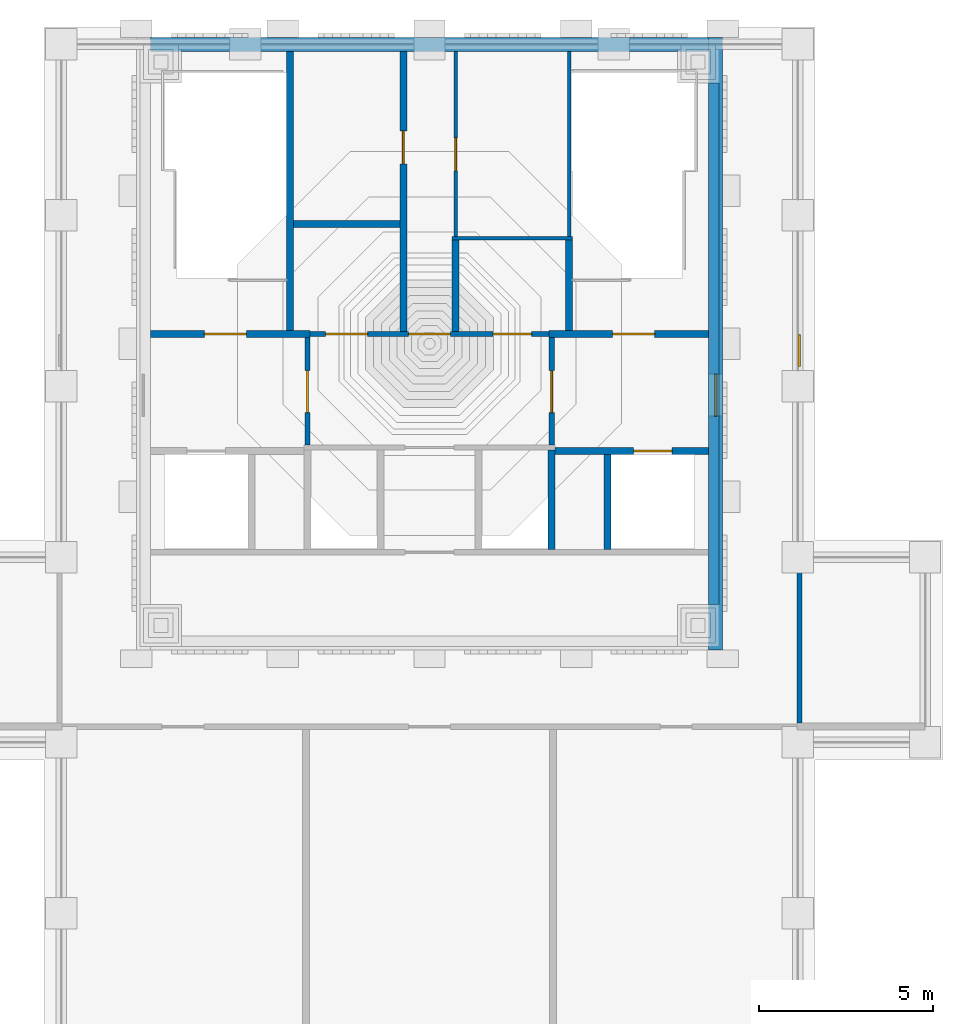
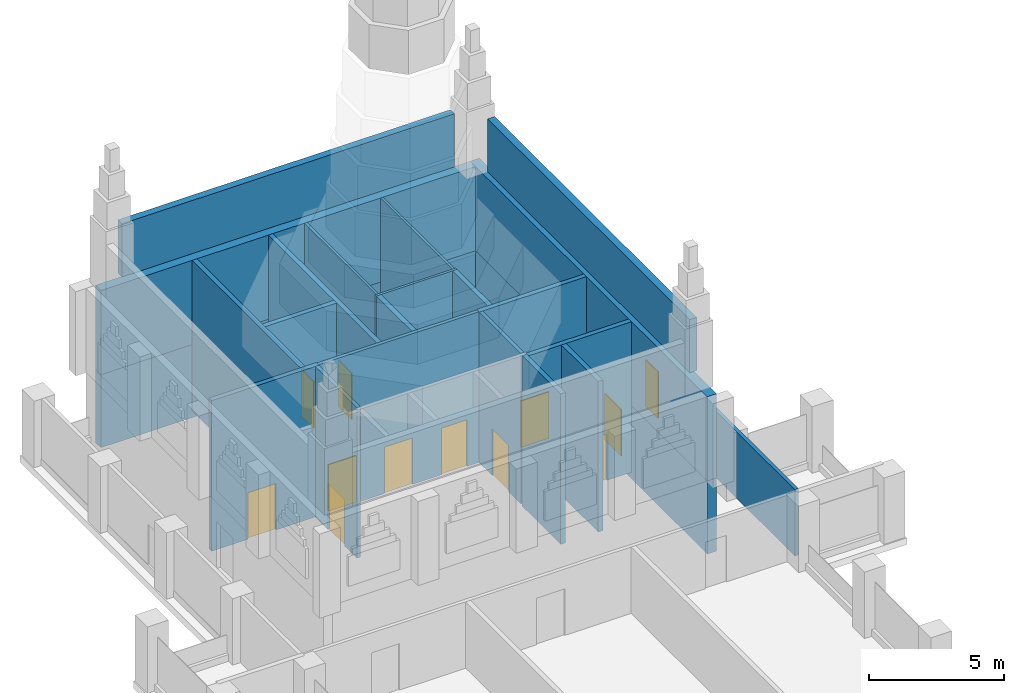
# One storey, part 2 of 6: 23 walls, 12 doors, 12 openings.
"""IFC4 building model written with IfcOpenShell, lengths in metres."""

from ifc_helpers import new_model, si_unit, direction, frame, frame_2d, origin, place, context, subcontext, project, spatial, rectangle, extrude, material, layer, layer_set, type_object, element, fill, save


model = new_model("IFC4")

# Units and contexts
model_context = context("Model", 3, precision=1e-05, world=origin(), true_north=direction((0.0, 1.0)))
body_context = subcontext(model_context, "Body", "Model", "MODEL_VIEW")
ifc_project = project(units=[si_unit("LENGTHUNIT", "METRE"), si_unit("AREAUNIT", "SQUARE_METRE"), si_unit("VOLUMEUNIT", "CUBIC_METRE"), si_unit("PLANEANGLEUNIT", "RADIAN"), si_unit("MASSUNIT", "GRAM", prefix="KILO")], contexts=[model_context])

# Site, building, storey
site_placement = place(None, origin())
site = spatial("IfcSite", under=ifc_project, at=site_placement, CompositionType="ELEMENT")
building_placement = place(site_placement, origin())
building = spatial("IfcBuilding", under=site, at=building_placement, Name="Vermilion Ogive Tower", CompositionType="ELEMENT")
storey_placement = place(building_placement, frame((0.0, 0.0, 302.85009765625)))
storey = spatial("IfcBuildingStorey", under=building, at=storey_placement, Name="RF", CompositionType="ELEMENT", Elevation=302.85009765625)

# Wall, opening, door
ifc_material_1 = material(Name="Concrete B60", Category="concrete")
ifc_layer_1 = layer(ifc_material_1, 0.39990234375)
ifc_layer_set_1 = layer_set([ifc_layer_1], Name="Core wall 400 B60")
wall_type_1 = type_object("IfcWallType", Name="Core wall 400 B60", PredefinedType="SHEAR", material=ifc_layer_set_1)
wall_1_placement = place(storey_placement, frame((8.199951171875, 4.199951171875, -0.300048828125), z_axis=(0.0, 0.0, 1.0), x_axis=(0.0, 1.0, 0.0)))
wall_1 = element("IfcWall", 1, at=wall_1_placement, inside=storey, type_object=wall_type_1, Name="RF-CORE-E", PredefinedType="SHEAR", context=body_context, shape_type="SweptSolid", body=[
    extrude(rectangle(XDim=17.550048828125, YDim=0.39990234375, at=frame_2d((8.77490234375, 0.0))), origin(), (0.0, 0.0, 1.0), 3.300048828125),
])
opening_1_placement = place(wall_1_placement, frame((6.699951171875, 0.0, 0.300048828125)))
opening_1 = element("IfcOpeningElement", 2, at=opening_1_placement, cuts=wall_1, Name="Opening DBZ001", PredefinedType="OPENING", context=body_context, shape_type="SweptSolid", body=[
    extrude(rectangle(XDim=1.199951171875, YDim=2.10009765625, at=frame_2d((0.60009765625, 1.050048828125))), frame((0.0, 0.2099609375, 0.0), z_axis=(0.0, -1.0, 0.0), x_axis=(1.0, 0.0, 0.0)), (0.0, 0.0, 1.0), 0.419921875),
])
ifc_material_2 = material(Name="Timber door leaf", Category="wood")
door_type_1 = type_object("IfcDoorType", Name="Link door 1200 x 2100 FD60S", OperationType="SINGLE_SWING_LEFT", PredefinedType="DOOR", material=ifc_material_2)
door_1_placement = place(opening_1_placement, origin())
door_1 = element("IfcDoor", 3, at=door_1_placement, inside=storey, type_object=door_type_1, Name="RF-CK-XD2", OperationType="SINGLE_SWING_LEFT", OverallHeight=2.10009765625, OverallWidth=1.199951171875, PredefinedType="DOOR", context=body_context, shape_type="SweptSolid", body=[
    extrude(rectangle(XDim=1.199951171875, YDim=2.10009765625, at=frame_2d((0.60009765625, 1.050048828125))), frame((0.0, 0.02490234375, 0.0), z_axis=(0.0, -1.0, 0.0), x_axis=(1.0, 0.0, 0.0)), (0.0, 0.0, 1.0), 0.050048828125),
])
fill(opening_1, door_1)

# Walls
wall_2_placement = place(storey_placement, frame((-8.0, 21.550048828125, -0.300048828125), z_axis=(0.0, 0.0, 1.0), x_axis=(1.0, 0.0, 0.0)))
element("IfcWall", 4, at=wall_2_placement, inside=storey, type_object=wall_type_1, Name="RF-CORE-N", PredefinedType="SHEAR", context=body_context, shape_type="SweptSolid", body=[
    extrude(rectangle(XDim=16.0, YDim=0.39990234375, at=frame_2d((8.0, 0.0))), origin(), (0.0, 0.0, 1.0), 3.300048828125),
])
wall_3_placement = place(storey_placement, frame((8.199951171875, 4.199951171875, 3.0), z_axis=(0.0, 0.0, 1.0), x_axis=(0.0, 1.0, 0.0)))
element("IfcWall", 5, at=wall_3_placement, inside=storey, type_object=wall_type_1, Name="RF-HH-E", PredefinedType="SHEAR", context=body_context, shape_type="SweptSolid", body=[
    extrude(rectangle(XDim=17.550048828125, YDim=0.39990234375, at=frame_2d((8.77490234375, 0.0))), origin(), (0.0, 0.0, 1.0), 3.7998046875),
])
wall_4_placement = place(storey_placement, frame((-8.0, 21.550048828125, 3.0), z_axis=(0.0, 0.0, 1.0), x_axis=(1.0, 0.0, 0.0)))
element("IfcWall", 6, at=wall_4_placement, inside=storey, type_object=wall_type_1, Name="RF-HH-N", PredefinedType="SHEAR", context=body_context, shape_type="SweptSolid", body=[
    extrude(rectangle(XDim=16.0, YDim=0.39990234375, at=frame_2d((8.0, 0.0))), origin(), (0.0, 0.0, 1.0), 3.7998046875),
])
ifc_material_3 = material(Name="Concrete B40", Category="concrete")
ifc_layer_2 = layer(ifc_material_3, 0.300048828125)
ifc_layer_set_2 = layer_set([ifc_layer_2], Name="Head-house parapet")
wall_type_2 = type_object("IfcWallType", Name="Head-house parapet", PredefinedType="PARAPET", material=ifc_layer_set_2)
wall_5_placement = place(storey_placement, frame((-7.10009765625, 21.5, 7.099853515625), z_axis=(0.0, 0.0, 1.0), x_axis=(1.0, 0.0, 0.0)))
element("IfcWall", 7, at=wall_5_placement, inside=storey, type_object=wall_type_2, Name="Head-house parapet north", PredefinedType="PARAPET", context=body_context, shape_type="SweptSolid", body=[
    extrude(rectangle(XDim=14.2001953125, YDim=0.300048828125, at=frame_2d((7.10009765625, 0.0))), origin(), (0.0, 0.0, 1.0), 2.400146484375),
])
wall_6_placement = place(storey_placement, frame((8.14990234375, 5.5, 7.099853515625), z_axis=(0.0, 0.0, 1.0), x_axis=(0.0, 1.0, 0.0)))
element("IfcWall", 8, at=wall_6_placement, inside=storey, type_object=wall_type_2, Name="Head-house parapet east", PredefinedType="PARAPET", context=body_context, shape_type="SweptSolid", body=[
    extrude(rectangle(XDim=14.949951171875, YDim=0.300048828125, at=frame_2d((7.47509765625, 0.0))), origin(), (0.0, 0.0, 1.0), 2.400146484375),
])
ifc_material_4 = material(Name="Gypsum board partition on steel studs", Category="steel")
ifc_layer_3 = layer(ifc_material_4, 0.10009765625)
ifc_layer_set_3 = layer_set([ifc_layer_3], Name="Partition 100 bath")
wall_type_3 = type_object("IfcWallType", Name="Partition 100 bath", PredefinedType="PARTITIONING", material=ifc_layer_set_3)
wall_7_placement = place(storey_placement, frame((0.64990234375, 16.0, 0.0), z_axis=(0.0, 0.0, 1.0), x_axis=(1.0, 0.0, 0.0)))
element("IfcWall", 9, at=wall_7_placement, inside=storey, type_object=wall_type_3, Name="RF-CK-W-W008", PredefinedType="PARTITIONING", context=body_context, shape_type="SweptSolid", body=[
    extrude(rectangle(XDim=3.4501953125, YDim=0.10009765625, at=frame_2d((1.72509765625, 0.0))), origin(), (0.0, 0.0, 1.0), 6.7998046875),
])

# Wall, opening, door
wall_8_placement = place(storey_placement, frame((0.75, 16.050048828125, 0.0), z_axis=(0.0, 0.0, 1.0), x_axis=(0.0, 1.0, 0.0)))
wall_8 = element("IfcWall", 10, at=wall_8_placement, inside=storey, type_object=wall_type_3, Name="RF-CK-W-W017", PredefinedType="PARTITIONING", context=body_context, shape_type="SweptSolid", body=[
    extrude(rectangle(XDim=5.299072265625, YDim=0.10009765625, at=frame_2d((2.6494140625, 0.0))), origin(), (0.0, 0.0, 1.0), 6.7998046875),
])
opening_2_placement = place(wall_8_placement, frame((1.875, 0.0, 0.0)))
opening_2 = element("IfcOpeningElement", 11, at=opening_2_placement, cuts=wall_8, Name="Opening DAQ007", PredefinedType="OPENING", context=body_context, shape_type="SweptSolid", body=[
    extrude(rectangle(XDim=0.949951171875, YDim=2.10009765625, at=frame_2d((0.47509765625, 1.050048828125))), frame((0.0, 0.06005859375, 0.0), z_axis=(0.0, -1.0, 0.0), x_axis=(1.0, 0.0, 0.0)), (0.0, 0.0, 1.0), 0.1201171875),
])
ifc_material_5 = material(Name="Timber door leaf", Category="wood")
door_type_2 = type_object("IfcDoorType", Name="Service door 950 x 2100 FD60", OperationType="SINGLE_SWING_LEFT", PredefinedType="DOOR", material=ifc_material_5)
door_2_placement = place(opening_2_placement, origin())
door_2 = element("IfcDoor", 12, at=door_2_placement, inside=storey, type_object=door_type_2, Name="RF-CK-D-D011", OperationType="SINGLE_SWING_LEFT", OverallHeight=2.10009765625, OverallWidth=0.949951171875, PredefinedType="DOOR", context=body_context, shape_type="SweptSolid", body=[
    extrude(rectangle(XDim=0.949951171875, YDim=2.10009765625, at=frame_2d((0.47509765625, 1.050048828125))), frame((0.0, 0.02490234375, 0.0), z_axis=(0.0, -1.0, 0.0), x_axis=(1.0, 0.0, 0.0)), (0.0, 0.0, 1.0), 0.050048828125),
])
fill(opening_2, door_2)

# Wall
wall_9_placement = place(storey_placement, frame((4.0, 16.050048828125, 0.0), z_axis=(0.0, 0.0, 1.0), x_axis=(0.0, 1.0, 0.0)))
element("IfcWall", 13, at=wall_9_placement, inside=storey, type_object=wall_type_3, Name="RF-CK-W-W022", PredefinedType="PARTITIONING", context=body_context, shape_type="SweptSolid", body=[
    extrude(rectangle(XDim=5.299072265625, YDim=0.10009765625, at=frame_2d((2.6494140625, 0.0))), origin(), (0.0, 0.0, 1.0), 6.7998046875),
])

# Wall, opening, door
ifc_material_6 = material(Name="Gypsum board partition on steel studs", Category="steel")
ifc_layer_4 = layer(ifc_material_6, 0.14990234375)
ifc_layer_set_4 = layer_set([ifc_layer_4], Name="Partition 150 corridor")
wall_type_4 = type_object("IfcWallType", Name="Partition 150 corridor", PredefinedType="PARTITIONING", material=ifc_layer_set_4)
wall_10_placement = place(storey_placement, frame((10.60009765625, 2.10009765625, 0.0), z_axis=(0.0, 0.0, 1.0), x_axis=(0.0, 1.0, 0.0)))
wall_10 = element("IfcWall", 14, at=wall_10_placement, inside=storey, type_object=wall_type_4, Name="RF-FS-W-W007", PredefinedType="PARTITIONING", context=body_context, shape_type="SweptSolid", body=[
    extrude(rectangle(XDim=19.449951171875, YDim=0.14990234375, at=frame_2d((9.72509765625, 0.0))), origin(), (0.0, 0.0, 1.0), 3.0),
])
opening_3_placement = place(wall_10_placement, frame((10.224853515625, 0.0, 0.0)))
opening_3 = element("IfcOpeningElement", 15, at=opening_3_placement, cuts=wall_10, Name="Opening DBG002", PredefinedType="OPENING", context=body_context, shape_type="SweptSolid", body=[
    extrude(rectangle(XDim=0.89990234375, YDim=2.10009765625, at=frame_2d((0.449951171875, 1.050048828125))), frame((0.0, 0.0849609375, 0.0), z_axis=(0.0, -1.0, 0.0), x_axis=(1.0, 0.0, 0.0)), (0.0, 0.0, 1.0), 0.169921875),
])
ifc_material_7 = material(Name="Timber door leaf", Category="wood")
door_type_3 = type_object("IfcDoorType", Name="Stair door 900 x 2100 FD60S", OperationType="SINGLE_SWING_LEFT", PredefinedType="DOOR", material=ifc_material_7)
door_3_placement = place(opening_3_placement, origin())
door_3 = element("IfcDoor", 16, at=door_3_placement, inside=storey, type_object=door_type_3, Name="RF-FS-D-D002", OperationType="SINGLE_SWING_RIGHT", OverallHeight=2.10009765625, OverallWidth=0.89990234375, PredefinedType="DOOR", context=body_context, shape_type="SweptSolid", body=[
    extrude(rectangle(XDim=0.89990234375, YDim=2.10009765625, at=frame_2d((0.449951171875, 1.050048828125))), frame((0.0, 0.02490234375, 0.0), z_axis=(0.0, -1.0, 0.0), x_axis=(1.0, 0.0, 0.0)), (0.0, 0.0, 1.0), 0.050048828125),
])
fill(opening_3, door_3)

# Wall, openings, doors
wall_11_placement = place(storey_placement, frame((-3.574951171875, 13.25, 0.0), z_axis=(0.0, 0.0, 1.0), x_axis=(1.0, 0.0, 0.0)))
wall_11 = element("IfcWall", 17, at=wall_11_placement, inside=storey, type_object=wall_type_4, Name="RF-CK-W-W006", PredefinedType="PARTITIONING", context=body_context, shape_type="SweptSolid", body=[
    extrude(rectangle(XDim=7.14990234375, YDim=0.14990234375, at=frame_2d((3.574951171875, 0.0))), origin(), (0.0, 0.0, 1.0), 6.7998046875),
])
opening_4_placement = place(wall_11_placement, frame((0.599853515625, 0.0, 0.0)))
opening_4 = element("IfcOpeningElement", 18, at=opening_4_placement, cuts=wall_11, Name="Opening DAQ013", PredefinedType="OPENING", context=body_context, shape_type="SweptSolid", body=[
    extrude(rectangle(XDim=1.199951171875, YDim=2.10009765625, at=frame_2d((0.60009765625, 1.050048828125))), frame((0.0, 0.0849609375, 0.0), z_axis=(0.0, -1.0, 0.0), x_axis=(1.0, 0.0, 0.0)), (0.0, 0.0, 1.0), 0.169921875),
])
opening_5_placement = place(wall_11_placement, frame((5.39990234375, 0.0, 0.0)))
opening_5 = element("IfcOpeningElement", 19, at=opening_5_placement, cuts=wall_11, Name="Opening DAQ012", PredefinedType="OPENING", context=body_context, shape_type="SweptSolid", body=[
    extrude(rectangle(XDim=1.10009765625, YDim=2.10009765625, at=frame_2d((0.550048828125, 1.050048828125))), frame((0.0, 0.0849609375, 0.0), z_axis=(0.0, -1.0, 0.0), x_axis=(1.0, 0.0, 0.0)), (0.0, 0.0, 1.0), 0.169921875),
])
opening_6_placement = place(wall_11_placement, frame((2.974853515625, 0.0, 0.0)))
opening_6 = element("IfcOpeningElement", 20, at=opening_6_placement, cuts=wall_11, Name="Opening DAQ005", PredefinedType="OPENING", context=body_context, shape_type="SweptSolid", body=[
    extrude(rectangle(XDim=1.199951171875, YDim=2.10009765625, at=frame_2d((0.60009765625, 1.050048828125))), frame((0.0, 0.0849609375, 0.0), z_axis=(0.0, -1.0, 0.0), x_axis=(1.0, 0.0, 0.0)), (0.0, 0.0, 1.0), 0.169921875),
])
ifc_material_8 = material(Name="Stainless steel", Category="steel")
door_type_4 = type_object("IfcDoorType", Name="Lift landing door 1100 x 2100", OperationType="SLIDING_TO_LEFT", PredefinedType="DOOR", material=ifc_material_8)
door_4_placement = place(opening_5_placement, origin())
door_4 = element("IfcDoor", 21, at=door_4_placement, inside=storey, type_object=door_type_4, Name="RF-CK-D-D008", OperationType="SLIDING_TO_LEFT", OverallHeight=2.10009765625, OverallWidth=1.10009765625, PredefinedType="DOOR", context=body_context, shape_type="SweptSolid", body=[
    extrude(rectangle(XDim=1.10009765625, YDim=2.10009765625, at=frame_2d((0.550048828125, 1.050048828125))), frame((0.0, 0.02490234375, 0.0), z_axis=(0.0, -1.0, 0.0), x_axis=(1.0, 0.0, 0.0)), (0.0, 0.0, 1.0), 0.050048828125),
])
fill(opening_5, door_4)
ifc_material_9 = material(Name="Stainless steel", Category="steel")
door_type_5 = type_object("IfcDoorType", Name="Lift landing door 1200 x 2100", OperationType="SLIDING_TO_LEFT", PredefinedType="DOOR", material=ifc_material_9)
door_5_placement = place(opening_4_placement, origin())
door_5 = element("IfcDoor", 22, at=door_5_placement, inside=storey, type_object=door_type_5, Name="RF-CK-D-D007", OperationType="SLIDING_TO_RIGHT", OverallHeight=2.10009765625, OverallWidth=1.199951171875, PredefinedType="DOOR", context=body_context, shape_type="SweptSolid", body=[
    extrude(rectangle(XDim=1.199951171875, YDim=2.10009765625, at=frame_2d((0.60009765625, 1.050048828125))), frame((0.0, 0.02490234375, 0.0), z_axis=(0.0, -1.0, 0.0), x_axis=(1.0, 0.0, 0.0)), (0.0, 0.0, 1.0), 0.050048828125),
])
fill(opening_4, door_5)
ifc_material_10 = material(Name="Timber door leaf", Category="wood")
door_type_6 = type_object("IfcDoorType", Name="Service door 1200 x 2100 FD60", OperationType="SINGLE_SWING_LEFT", PredefinedType="DOOR", material=ifc_material_10)
door_6_placement = place(opening_6_placement, origin())
door_6 = element("IfcDoor", 23, at=door_6_placement, inside=storey, type_object=door_type_6, Name="RF-CK-D-D009", OperationType="SINGLE_SWING_RIGHT", OverallHeight=2.10009765625, OverallWidth=1.199951171875, PredefinedType="DOOR", context=body_context, shape_type="SweptSolid", body=[
    extrude(rectangle(XDim=1.199951171875, YDim=2.10009765625, at=frame_2d((0.60009765625, 1.050048828125))), frame((0.0, 0.02490234375, 0.0), z_axis=(0.0, -1.0, 0.0), x_axis=(1.0, 0.0, 0.0)), (0.0, 0.0, 1.0), 0.050048828125),
])
fill(opening_6, door_6)

# Wall, opening, door
wall_12_placement = place(storey_placement, frame((-3.5, 10.074951171875, 0.0), z_axis=(0.0, 0.0, 1.0), x_axis=(0.0, 1.0, 0.0)))
wall_12 = element("IfcWall", 24, at=wall_12_placement, inside=storey, type_object=wall_type_4, Name="RF-CK-W-W013", PredefinedType="PARTITIONING", context=body_context, shape_type="SweptSolid", body=[
    extrude(rectangle(XDim=3.074951171875, YDim=0.14990234375, at=frame_2d((1.53759765625, 0.0))), origin(), (0.0, 0.0, 1.0), 6.7998046875),
])
opening_7_placement = place(wall_12_placement, frame((0.925048828125, 0.0, 0.0)))
opening_7 = element("IfcOpeningElement", 25, at=opening_7_placement, cuts=wall_12, Name="Opening DAQ001", PredefinedType="OPENING", context=body_context, shape_type="SweptSolid", body=[
    extrude(rectangle(XDim=1.199951171875, YDim=2.10009765625, at=frame_2d((0.60009765625, 1.050048828125))), frame((0.0, 0.0849609375, 0.0), z_axis=(0.0, -1.0, 0.0), x_axis=(1.0, 0.0, 0.0)), (0.0, 0.0, 1.0), 0.169921875),
])
ifc_material_11 = material(Name="Timber door leaf", Category="wood")
door_type_7 = type_object("IfcDoorType", Name="Lobby door 1200 x 2100 FD60S", OperationType="SINGLE_SWING_LEFT", PredefinedType="DOOR", material=ifc_material_11)
door_7_placement = place(opening_7_placement, origin())
door_7 = element("IfcDoor", 26, at=door_7_placement, inside=storey, type_object=door_type_7, Name="RF-CK-D-D012", OperationType="SINGLE_SWING_RIGHT", OverallHeight=2.10009765625, OverallWidth=1.199951171875, PredefinedType="DOOR", context=body_context, shape_type="SweptSolid", body=[
    extrude(rectangle(XDim=1.199951171875, YDim=2.10009765625, at=frame_2d((0.60009765625, 1.050048828125))), frame((0.0, 0.02490234375, 0.0), z_axis=(0.0, -1.0, 0.0), x_axis=(1.0, 0.0, 0.0)), (0.0, 0.0, 1.0), 0.050048828125),
])
fill(opening_7, door_7)

wall_13_placement = place(storey_placement, frame((3.5, 10.074951171875, 0.0), z_axis=(0.0, 0.0, 1.0), x_axis=(0.0, 1.0, 0.0)))
wall_13 = element("IfcWall", 27, at=wall_13_placement, inside=storey, type_object=wall_type_4, Name="RF-CK-W-W020", PredefinedType="PARTITIONING", context=body_context, shape_type="SweptSolid", body=[
    extrude(rectangle(XDim=3.074951171875, YDim=0.14990234375, at=frame_2d((1.53759765625, 0.0))), origin(), (0.0, 0.0, 1.0), 6.7998046875),
])
opening_8_placement = place(wall_13_placement, frame((0.925048828125, 0.0, 0.0)))
opening_8 = element("IfcOpeningElement", 28, at=opening_8_placement, cuts=wall_13, Name="Opening DAQ002", PredefinedType="OPENING", context=body_context, shape_type="SweptSolid", body=[
    extrude(rectangle(XDim=1.199951171875, YDim=2.10009765625, at=frame_2d((0.60009765625, 1.050048828125))), frame((0.0, 0.0849609375, 0.0), z_axis=(0.0, -1.0, 0.0), x_axis=(1.0, 0.0, 0.0)), (0.0, 0.0, 1.0), 0.169921875),
])
door_8_placement = place(opening_8_placement, origin())
door_8 = element("IfcDoor", 29, at=door_8_placement, inside=storey, type_object=door_type_7, Name="RF-CK-D-D013", OperationType="SINGLE_SWING_LEFT", OverallHeight=2.10009765625, OverallWidth=1.199951171875, PredefinedType="DOOR", context=body_context, shape_type="SweptSolid", body=[
    extrude(rectangle(XDim=1.199951171875, YDim=2.10009765625, at=frame_2d((0.60009765625, 1.050048828125))), frame((0.0, 0.02490234375, 0.0), z_axis=(0.0, -1.0, 0.0), x_axis=(1.0, 0.0, 0.0)), (0.0, 0.0, 1.0), 0.050048828125),
])
fill(opening_8, door_8)

ifc_material_12 = material(Name="Gypsum board partition on steel studs", Category="steel")
ifc_layer_5 = layer(ifc_material_12, 0.199951171875)
ifc_layer_set_5 = layer_set([ifc_layer_5], Name="Partition 200 party")
wall_type_5 = type_object("IfcWallType", Name="Partition 200 party", PredefinedType="PARTITIONING", material=ifc_layer_set_5)
wall_14_placement = place(storey_placement, frame((3.60009765625, 9.89990234375, 0.0), z_axis=(0.0, 0.0, 1.0), x_axis=(1.0, 0.0, 0.0)))
wall_14 = element("IfcWall", 30, at=wall_14_placement, inside=storey, type_object=wall_type_5, Name="RF-CK-W-W003", PredefinedType="PARTITIONING", context=body_context, shape_type="SweptSolid", body=[
    extrude(rectangle(XDim=4.39892578125, YDim=0.199951171875, at=frame_2d((2.199462890625, 0.0))), origin(), (0.0, 0.0, 1.0), 6.7998046875),
])
opening_9_placement = place(wall_14_placement, frame((2.25, 0.0, 0.0)))
opening_9 = element("IfcOpeningElement", 31, at=opening_9_placement, cuts=wall_14, Name="Opening DAQ011", PredefinedType="OPENING", context=body_context, shape_type="SweptSolid", body=[
    extrude(rectangle(XDim=1.10009765625, YDim=2.10009765625, at=frame_2d((0.550048828125, 1.050048828125))), frame((0.0, 0.10986328125, 0.0), z_axis=(0.0, -1.0, 0.0), x_axis=(1.0, 0.0, 0.0)), (0.0, 0.0, 1.0), 0.219970703125),
])
door_9_placement = place(opening_9_placement, origin())
door_9 = element("IfcDoor", 32, at=door_9_placement, inside=storey, type_object=door_type_4, Name="RF-CK-D-D004", OperationType="SLIDING_TO_LEFT", OverallHeight=2.10009765625, OverallWidth=1.10009765625, PredefinedType="DOOR", context=body_context, shape_type="SweptSolid", body=[
    extrude(rectangle(XDim=1.10009765625, YDim=2.10009765625, at=frame_2d((0.550048828125, 1.050048828125))), frame((0.0, 0.02490234375, 0.0), z_axis=(0.0, -1.0, 0.0), x_axis=(1.0, 0.0, 0.0)), (0.0, 0.0, 1.0), 0.050048828125),
])
fill(opening_9, door_9)

wall_15_placement = place(storey_placement, frame((-7.9990234375, 13.25, 0.0), z_axis=(0.0, 0.0, 1.0), x_axis=(1.0, 0.0, 0.0)))
wall_15 = element("IfcWall", 33, at=wall_15_placement, inside=storey, type_object=wall_type_5, Name="RF-CK-W-W005", PredefinedType="PARTITIONING", context=body_context, shape_type="SweptSolid", body=[
    extrude(rectangle(XDim=4.573974609375, YDim=0.199951171875, at=frame_2d((2.287109375, 0.0))), origin(), (0.0, 0.0, 1.0), 6.7998046875),
])
opening_10_placement = place(wall_15_placement, frame((1.549072265625, 0.0, 0.0)))
opening_10 = element("IfcOpeningElement", 34, at=opening_10_placement, cuts=wall_15, Name="Opening DAQ008", PredefinedType="OPENING", context=body_context, shape_type="SweptSolid", body=[
    extrude(rectangle(XDim=1.199951171875, YDim=2.10009765625, at=frame_2d((0.60009765625, 1.050048828125))), frame((0.0, 0.10986328125, 0.0), z_axis=(0.0, -1.0, 0.0), x_axis=(1.0, 0.0, 0.0)), (0.0, 0.0, 1.0), 0.219970703125),
])
ifc_material_13 = material(Name="Timber door leaf", Category="wood")
door_type_8 = type_object("IfcDoorType", Name="Stair door 1200 x 2100 FD60S", OperationType="SINGLE_SWING_LEFT", PredefinedType="DOOR", material=ifc_material_13)
door_10_placement = place(opening_10_placement, origin())
door_10 = element("IfcDoor", 35, at=door_10_placement, inside=storey, type_object=door_type_8, Name="RF-CK-D-D001", OperationType="SINGLE_SWING_LEFT", OverallHeight=2.10009765625, OverallWidth=1.199951171875, PredefinedType="DOOR", context=body_context, shape_type="SweptSolid", body=[
    extrude(rectangle(XDim=1.199951171875, YDim=2.10009765625, at=frame_2d((0.60009765625, 1.050048828125))), frame((0.0, 0.02490234375, 0.0), z_axis=(0.0, -1.0, 0.0), x_axis=(1.0, 0.0, 0.0)), (0.0, 0.0, 1.0), 0.050048828125),
])
fill(opening_10, door_10)

wall_16_placement = place(storey_placement, frame((3.425048828125, 13.25, 0.0), z_axis=(0.0, 0.0, 1.0), x_axis=(1.0, 0.0, 0.0)))
wall_16 = element("IfcWall", 36, at=wall_16_placement, inside=storey, type_object=wall_type_5, Name="RF-CK-W-W007", PredefinedType="PARTITIONING", context=body_context, shape_type="SweptSolid", body=[
    extrude(rectangle(XDim=4.573974609375, YDim=0.199951171875, at=frame_2d((2.287109375, 0.0))), origin(), (0.0, 0.0, 1.0), 6.7998046875),
])
opening_11_placement = place(wall_16_placement, frame((1.824951171875, 0.0, 0.0)))
opening_11 = element("IfcOpeningElement", 37, at=opening_11_placement, cuts=wall_16, Name="Opening DAQ009", PredefinedType="OPENING", context=body_context, shape_type="SweptSolid", body=[
    extrude(rectangle(XDim=1.199951171875, YDim=2.10009765625, at=frame_2d((0.60009765625, 1.050048828125))), frame((0.0, 0.10986328125, 0.0), z_axis=(0.0, -1.0, 0.0), x_axis=(1.0, 0.0, 0.0)), (0.0, 0.0, 1.0), 0.219970703125),
])
door_11_placement = place(opening_11_placement, origin())
door_11 = element("IfcDoor", 38, at=door_11_placement, inside=storey, type_object=door_type_8, Name="RF-CK-D-D003", OperationType="SINGLE_SWING_RIGHT", OverallHeight=2.10009765625, OverallWidth=1.199951171875, PredefinedType="DOOR", context=body_context, shape_type="SweptSolid", body=[
    extrude(rectangle(XDim=1.199951171875, YDim=2.10009765625, at=frame_2d((0.60009765625, 1.050048828125))), frame((0.0, 0.02490234375, 0.0), z_axis=(0.0, -1.0, 0.0), x_axis=(1.0, 0.0, 0.0)), (0.0, 0.0, 1.0), 0.050048828125),
])
fill(opening_11, door_11)

# Walls
wall_17_placement = place(storey_placement, frame((-3.89990234375, 16.39990234375, 0.0), z_axis=(0.0, 0.0, 1.0), x_axis=(1.0, 0.0, 0.0)))
element("IfcWall", 39, at=wall_17_placement, inside=storey, type_object=wall_type_5, Name="RF-CK-W-W009", PredefinedType="PARTITIONING", context=body_context, shape_type="SweptSolid", body=[
    extrude(rectangle(XDim=3.0498046875, YDim=0.199951171875, at=frame_2d((1.52490234375, 0.0))), origin(), (0.0, 0.0, 1.0), 6.7998046875),
])
wall_18_placement = place(storey_placement, frame((-4.0, 13.35009765625, 0.0), z_axis=(0.0, 0.0, 1.0), x_axis=(0.0, 1.0, 0.0)))
element("IfcWall", 40, at=wall_18_placement, inside=storey, type_object=wall_type_5, Name="RF-CK-W-W011", PredefinedType="PARTITIONING", context=body_context, shape_type="SweptSolid", body=[
    extrude(rectangle(XDim=7.9990234375, YDim=0.199951171875, at=frame_2d((3.99951171875, 0.0))), origin(), (0.0, 0.0, 1.0), 6.7998046875),
])

# Wall, opening, door
wall_19_placement = place(storey_placement, frame((-0.75, 13.324951171875, 0.0), z_axis=(0.0, 0.0, 1.0), x_axis=(0.0, 1.0, 0.0)))
wall_19 = element("IfcWall", 41, at=wall_19_placement, inside=storey, type_object=wall_type_5, Name="RF-CK-W-W015", PredefinedType="PARTITIONING", context=body_context, shape_type="SweptSolid", body=[
    extrude(rectangle(XDim=8.024169921875, YDim=0.199951171875, at=frame_2d((4.01220703125, 0.0))), origin(), (0.0, 0.0, 1.0), 6.7998046875),
])
opening_12_placement = place(wall_19_placement, frame((4.800048828125, 0.0, 0.0)))
opening_12 = element("IfcOpeningElement", 42, at=opening_12_placement, cuts=wall_19, Name="Opening DAQ006", PredefinedType="OPENING", context=body_context, shape_type="SweptSolid", body=[
    extrude(rectangle(XDim=0.949951171875, YDim=2.10009765625, at=frame_2d((0.47509765625, 1.050048828125))), frame((0.0, 0.10986328125, 0.0), z_axis=(0.0, -1.0, 0.0), x_axis=(1.0, 0.0, 0.0)), (0.0, 0.0, 1.0), 0.219970703125),
])
door_12_placement = place(opening_12_placement, origin())
door_12 = element("IfcDoor", 43, at=door_12_placement, inside=storey, type_object=door_type_2, Name="RF-CK-D-D010", OperationType="SINGLE_SWING_RIGHT", OverallHeight=2.10009765625, OverallWidth=0.949951171875, PredefinedType="DOOR", context=body_context, shape_type="SweptSolid", body=[
    extrude(rectangle(XDim=0.949951171875, YDim=2.10009765625, at=frame_2d((0.47509765625, 1.050048828125))), frame((0.0, 0.02490234375, 0.0), z_axis=(0.0, -1.0, 0.0), x_axis=(1.0, 0.0, 0.0)), (0.0, 0.0, 1.0), 0.050048828125),
])
fill(opening_12, door_12)

# Walls
wall_20_placement = place(storey_placement, frame((0.75, 13.324951171875, 0.0), z_axis=(0.0, 0.0, 1.0), x_axis=(0.0, 1.0, 0.0)))
element("IfcWall", 44, at=wall_20_placement, inside=storey, type_object=wall_type_5, Name="RF-CK-W-W016", PredefinedType="PARTITIONING", context=body_context, shape_type="SweptSolid", body=[
    extrude(rectangle(XDim=2.625, YDim=0.199951171875, at=frame_2d((1.3125, 0.0))), origin(), (0.0, 0.0, 1.0), 6.7998046875),
])
wall_21_placement = place(storey_placement, frame((3.5, 7.074951171875, 0.0), z_axis=(0.0, 0.0, 1.0), x_axis=(0.0, 1.0, 0.0)))
element("IfcWall", 45, at=wall_21_placement, inside=storey, type_object=wall_type_5, Name="RF-CK-W-W019", PredefinedType="PARTITIONING", context=body_context, shape_type="SweptSolid", body=[
    extrude(rectangle(XDim=2.85009765625, YDim=0.199951171875, at=frame_2d((1.425048828125, 0.0))), origin(), (0.0, 0.0, 1.0), 6.7998046875),
])
wall_22_placement = place(storey_placement, frame((4.0, 13.35009765625, 0.0), z_axis=(0.0, 0.0, 1.0), x_axis=(0.0, 1.0, 0.0)))
element("IfcWall", 46, at=wall_22_placement, inside=storey, type_object=wall_type_5, Name="RF-CK-W-W021", PredefinedType="PARTITIONING", context=body_context, shape_type="SweptSolid", body=[
    extrude(rectangle(XDim=2.599853515625, YDim=0.199951171875, at=frame_2d((1.2998046875, 0.0))), origin(), (0.0, 0.0, 1.0), 6.7998046875),
])
wall_23_placement = place(storey_placement, frame((5.10009765625, 7.074951171875, 0.0), z_axis=(0.0, 0.0, 1.0), x_axis=(0.0, 1.0, 0.0)))
element("IfcWall", 47, at=wall_23_placement, inside=storey, type_object=wall_type_5, Name="RF-CK-W-W023", PredefinedType="PARTITIONING", context=body_context, shape_type="SweptSolid", body=[
    extrude(rectangle(XDim=2.72509765625, YDim=0.199951171875, at=frame_2d((1.362548828125, 0.0))), origin(), (0.0, 0.0, 1.0), 6.7998046875),
])

save(model, "model.ifc")
